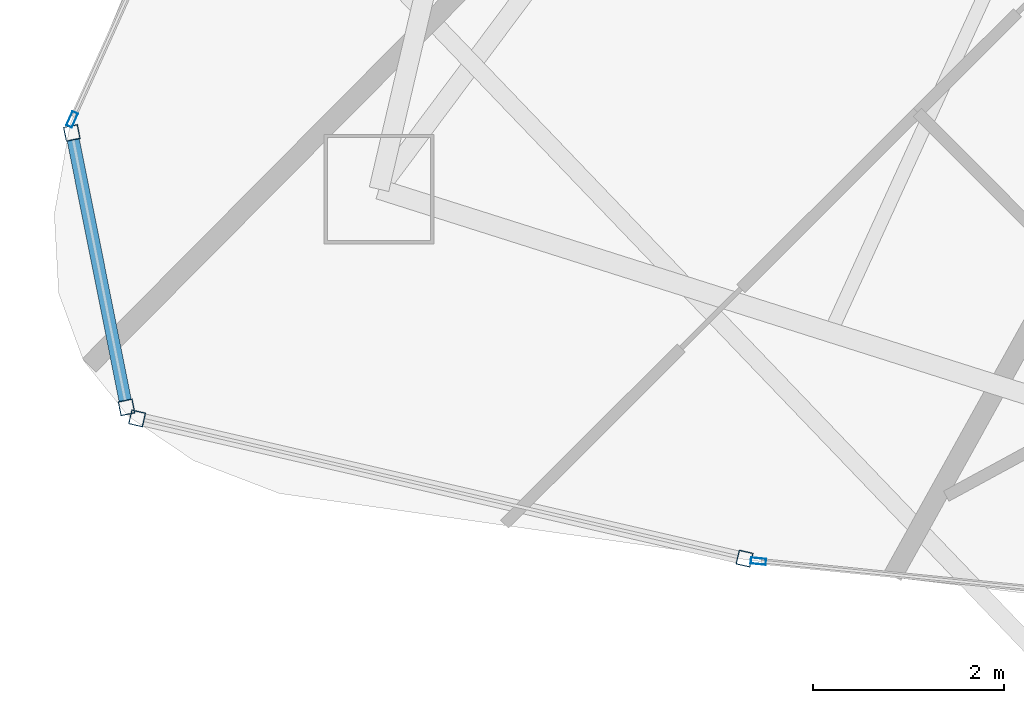
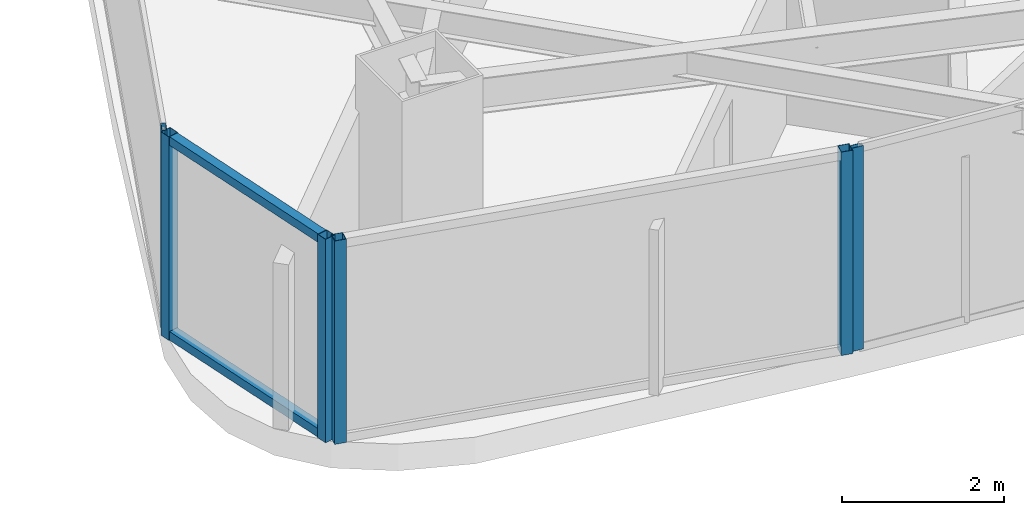
# One storey, part 2 of 29: 8 members, 4 elements without a shape of their own.
"""IFC4 building model written with IfcOpenShell, lengths in metres."""

from ifc_helpers import new_model, si_unit, direction, frame, origin, origin_2d, place, context, subcontext, project, spatial, hollow_rectangle, extrude, material, layer, layer_set, material_profile, profile_set, type_object, element, aggregate, save


model = new_model("IFC4")

# Units and contexts
model_context = context("Model", 3, precision=1e-05, world=origin(), true_north=direction((0.0, 1.0)))
body_context = subcontext(model_context, "Body", "Model", "MODEL_VIEW")
ifc_project = project(units=[si_unit("LENGTHUNIT", "METRE"), si_unit("AREAUNIT", "SQUARE_METRE"), si_unit("VOLUMEUNIT", "CUBIC_METRE"), si_unit("PLANEANGLEUNIT", "RADIAN"), si_unit("MASSUNIT", "GRAM", prefix="KILO")], contexts=[model_context])

# Site, building, storey
site_placement = place(None, origin())
site = spatial("IfcSite", under=ifc_project, at=site_placement, CompositionType="ELEMENT")
building_placement = place(site_placement, origin())
building = spatial("IfcBuilding", under=site, at=building_placement, Name="Orvanel Arch Residences", CompositionType="ELEMENT")
storey_placement = place(building_placement, frame((0.0, 0.0, 256.85009765625)))
storey = spatial("IfcBuildingStorey", under=building, at=storey_placement, Name="L73", CompositionType="ELEMENT", Elevation=256.85009765625)

# Curtain wall, members
ifc_material = material(Name="Bronze-anodised aluminium AA6063-T6", Category="aluminium")
ifc_layer_1 = layer(ifc_material, 0.18994140625)
ifc_layer_set_1 = layer_set([ifc_layer_1], Name="Bronze-anodised aluminium AA6063-T6")
curtain_wall_type_1 = type_object("IfcCurtainWallType", Name="CW5-CRN-SYS", PredefinedType="NOTDEFINED", material=ifc_layer_set_1)
curtain_wall_1_placement = place(storey_placement, origin())
curtain_wall_1 = element("IfcCurtainWall", 1, at=curtain_wall_1_placement, inside=storey, type_object=curtain_wall_type_1, Name="L73 CW5-CRN-SYS Unitised Curtain Wall", PredefinedType="NOTDEFINED")
ifc_material_profile_1 = material_profile(ifc_material, hollow_rectangle(XDim=0.14990234375, YDim=0.14990234375, WallThickness=0.0048828125, at=origin_2d()), Name="ALU150x150x5")
ifc_profile_set_1 = profile_set([ifc_material_profile_1], Name="Bronze-anodised aluminium AA6063-T6")
member_type_1 = type_object("IfcMemberType", Name="MUL-150x150", PredefinedType="MULLION", material=ifc_profile_set_1)
member_1_placement = place(storey_placement, frame((10.983642578125, 10.9404296875, 0.0), z_axis=(0.0, 0.0, 1.0), x_axis=(0.980705375633, 0.195491601364, 0.0)))
member_1 = element("IfcMember", 2, at=member_1_placement, type_object=member_type_1, Name="CW-S5 mullion 1", PredefinedType="MULLION", context=body_context, shape_type="SweptSolid", body=[
    extrude(hollow_rectangle(XDim=0.14990234375, YDim=0.14990234375, WallThickness=0.0048828125, at=origin_2d()), origin(), (0.0, 0.0, 1.0), 3.059814453125),
])
member_2_placement = place(storey_placement, frame((11.556396484375, 8.067626953125, 0.0), z_axis=(0.0, 0.0, 1.0), x_axis=(0.980705375633, 0.195491601364, 0.0)))
member_2 = element("IfcMember", 3, at=member_2_placement, type_object=member_type_1, Name="CW-S5 mullion 2", PredefinedType="MULLION", context=body_context, shape_type="SweptSolid", body=[
    extrude(hollow_rectangle(XDim=0.14990234375, YDim=0.14990234375, WallThickness=0.0048828125, at=origin_2d()), origin(), (0.0, 0.0, 1.0), 3.059814453125),
])

curtain_wall_2_placement = place(storey_placement, origin())
curtain_wall_2 = element("IfcCurtainWall", 4, at=curtain_wall_2_placement, inside=storey, type_object=curtain_wall_type_1, Name="L73 CW5-CRN-SYS Unitised Curtain Wall", PredefinedType="NOTDEFINED")
member_3_placement = place(storey_placement, frame((11.6669921875, 7.9521484375, 0.0), z_axis=(0.0, 0.0, 1.0), x_axis=(0.224870448137, 0.974388670683, 0.0)))
member_3 = element("IfcMember", 5, at=member_3_placement, type_object=member_type_1, Name="CW-S5 mullion 1", PredefinedType="MULLION", context=body_context, shape_type="SweptSolid", body=[
    extrude(hollow_rectangle(XDim=0.14990234375, YDim=0.14990234375, WallThickness=0.0048828125, at=origin_2d()), origin(), (0.0, 0.0, 1.0), 3.059814453125),
])
member_4_placement = place(storey_placement, frame((18.02490234375, 6.48486328125, 0.0), z_axis=(0.0, 0.0, 1.0), x_axis=(0.224870448137, 0.974388670683, 0.0)))
member_4 = element("IfcMember", 6, at=member_4_placement, type_object=member_type_1, Name="CW-S5 mullion 2", PredefinedType="MULLION", context=body_context, shape_type="SweptSolid", body=[
    extrude(hollow_rectangle(XDim=0.14990234375, YDim=0.14990234375, WallThickness=0.0048828125, at=origin_2d()), origin(), (0.0, 0.0, 1.0), 3.059814453125),
])
aggregate(curtain_wall_2, [member_3, member_4])

# Curtain wall, member
ifc_layer_2 = layer(ifc_material, 0.175048828125)
ifc_layer_set_2 = layer_set([ifc_layer_2], Name="Bronze-anodised aluminium AA6063-T6")
curtain_wall_type_2 = type_object("IfcCurtainWallType", Name="CW4-HI-SYS", PredefinedType="NOTDEFINED", material=ifc_layer_set_2)
curtain_wall_3_placement = place(storey_placement, origin())
curtain_wall_3 = element("IfcCurtainWall", 7, at=curtain_wall_3_placement, inside=storey, type_object=curtain_wall_type_2, Name="L73 CW4-HI-SYS Unitised Curtain Wall", PredefinedType="NOTDEFINED")
ifc_material_profile_2 = material_profile(ifc_material, hollow_rectangle(XDim=0.06494140625, YDim=0.159912109375, WallThickness=0.00390625, at=origin_2d()), Name="ALU160x65x4")
ifc_profile_set_2 = profile_set([ifc_material_profile_2], Name="Bronze-anodised aluminium AA6063-T6")
member_type_2 = type_object("IfcMemberType", Name="MUL-160x65", PredefinedType="MULLION", material=ifc_profile_set_2)
member_5_placement = place(storey_placement, frame((10.986328125, 11.08154296875, 0.0), z_axis=(0.0, 0.0, 1.0), x_axis=(0.911907243559, -0.410396368338, 0.0)))
member_5 = element("IfcMember", 8, at=member_5_placement, type_object=member_type_2, Name="CW-S4 mullion 3", PredefinedType="MULLION", context=body_context, shape_type="SweptSolid", body=[
    extrude(hollow_rectangle(XDim=0.06494140625, YDim=0.159912109375, WallThickness=0.00390625, at=origin_2d()), origin(), (0.0, 0.0, 1.0), 3.059814453125),
])
aggregate(curtain_wall_3, [member_5])

curtain_wall_4_placement = place(storey_placement, origin())
curtain_wall_4 = element("IfcCurtainWall", 9, at=curtain_wall_4_placement, inside=storey, type_object=curtain_wall_type_2, Name="L73 CW4-HI-SYS Unitised Curtain Wall", PredefinedType="NOTDEFINED")
member_6_placement = place(storey_placement, frame((18.16943359375, 6.457763671875, 0.0), z_axis=(0.0, 0.0, 1.0), x_axis=(0.099583474002, 0.995029211484, 0.0)))
member_6 = element("IfcMember", 10, at=member_6_placement, type_object=member_type_2, Name="CW-S4 mullion 1", PredefinedType="MULLION", context=body_context, shape_type="SweptSolid", body=[
    extrude(hollow_rectangle(XDim=0.06494140625, YDim=0.159912109375, WallThickness=0.00390625, at=origin_2d()), origin(), (0.0, 0.0, 1.0), 3.059814453125),
])
aggregate(curtain_wall_4, [member_6])

# Member
ifc_material_profile_3 = material_profile(ifc_material, hollow_rectangle(XDim=0.1298828125, YDim=0.1298828125, WallThickness=0.00439453125, at=origin_2d()), Name="ALU130x130x4.5")
ifc_profile_set_3 = profile_set([ifc_material_profile_3], Name="Bronze-anodised aluminium AA6063-T6")
member_type_3 = type_object("IfcMemberType", Name="TRN-130x130", PredefinedType="USERDEFINED", material=ifc_profile_set_3)
member_7_placement = place(storey_placement, frame((10.998291015625, 10.866943359375, 0.06494140625), z_axis=(0.195524889739, -0.980698739416, 0.0), x_axis=(0.980698739416, 0.195524889739, 0.0)))
member_7 = element("IfcMember", 11, at=member_7_placement, type_object=member_type_3, Name="CW-S5 transom 1.1", ObjectType="TRANSOM", PredefinedType="USERDEFINED", context=body_context, shape_type="SweptSolid", body=[
    extrude(hollow_rectangle(XDim=0.1298828125, YDim=0.1298828125, WallThickness=0.00439453125, at=origin_2d()), origin(), (0.0, 0.0, 1.0), 2.779541015625),
])

member_8_placement = place(storey_placement, frame((10.998291015625, 10.866943359375, 2.994873046875), z_axis=(0.195524889739, -0.980698739416, 0.0), x_axis=(0.980698739416, 0.195524889739, 0.0)))
member_8 = element("IfcMember", 12, at=member_8_placement, type_object=member_type_3, Name="CW-S5 transom 1.2", ObjectType="TRANSOM", PredefinedType="USERDEFINED", context=body_context, shape_type="SweptSolid", body=[
    extrude(hollow_rectangle(XDim=0.1298828125, YDim=0.1298828125, WallThickness=0.00439453125, at=origin_2d()), origin(), (0.0, 0.0, 1.0), 2.779541015625),
])

aggregate(curtain_wall_1, [member_1, member_2, member_7, member_8])

save(model, "model.ifc")
